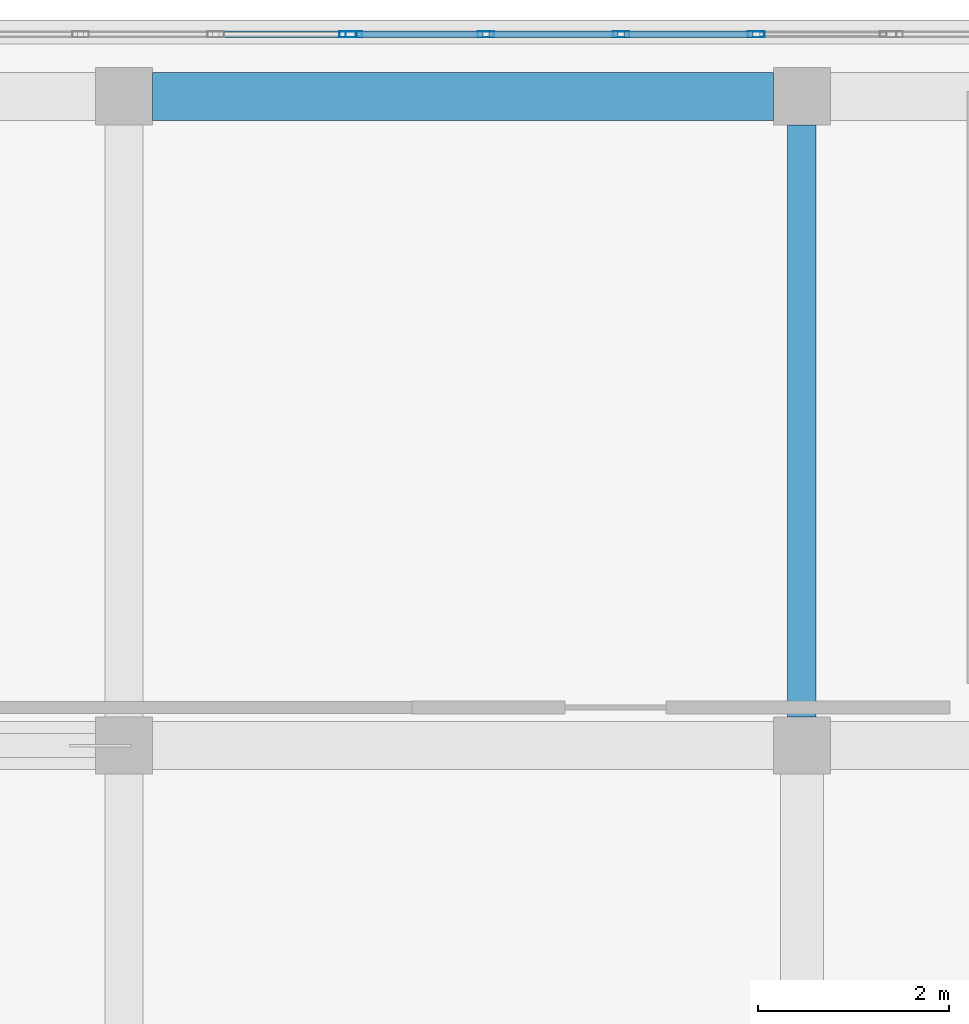
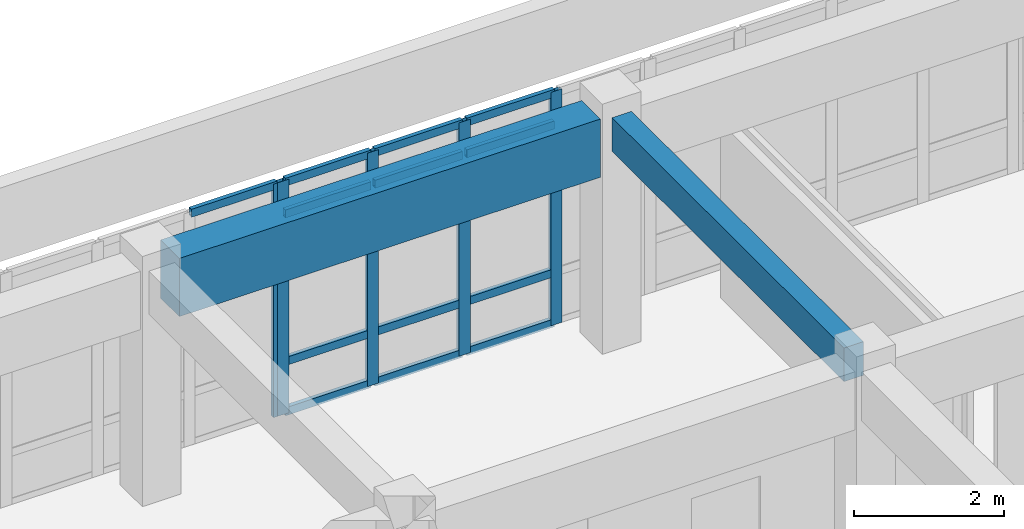
# One storey, part 6 of 14: 18 members, 2 beams, 2 elements without a shape of their own.
"""IFC4 building model written with IfcOpenShell, lengths in metres."""

from ifc_helpers import new_model, si_unit, direction, frame, origin, origin_2d, place, context, subcontext, project, spatial, rectangle, hollow_rectangle, extrude, material, layer, layer_set, material_profile, profile_set, type_object, element, aggregate, save


model = new_model("IFC4")

# Units and contexts
model_context = context("Model", 3, precision=1e-05, world=origin(), true_north=direction((0.0, 1.0)))
body_context = subcontext(model_context, "Body", "Model", "MODEL_VIEW")
ifc_project = project(units=[si_unit("LENGTHUNIT", "METRE"), si_unit("AREAUNIT", "SQUARE_METRE"), si_unit("VOLUMEUNIT", "CUBIC_METRE"), si_unit("PLANEANGLEUNIT", "RADIAN"), si_unit("MASSUNIT", "GRAM", prefix="KILO")], contexts=[model_context])

# Site, building, storey
site_placement = place(None, origin())
site = spatial("IfcSite", under=ifc_project, at=site_placement, CompositionType="ELEMENT")
building_placement = place(site_placement, origin())
building = spatial("IfcBuilding", under=site, at=building_placement, Name="Valcora Specialist Clinic", CompositionType="ELEMENT")
storey_placement = place(building_placement, frame((0.0, 0.0, 21.760009765625)))
storey = spatial("IfcBuildingStorey", under=building, at=storey_placement, Name="L05", CompositionType="ELEMENT", Elevation=21.760009765625)

# Beams
ifc_material_1 = material(Name="Concrete C40/50", Category="concrete")
ifc_material_profile_1 = material_profile(ifc_material_1, rectangle(XDim=0.300048828125, YDim=0.550048828125, at=origin_2d()), Name="RC-BM-300X550")
ifc_profile_set_1 = profile_set([ifc_material_profile_1], Name="Concrete C40/50")
beam_type_1 = type_object("IfcBeamType", Name="TY-BM-RC300X550", PredefinedType="BEAM", material=ifc_profile_set_1)
beam_1_placement = place(storey_placement, frame((16.199951171875, 15.5, 3.534912109375), z_axis=(0.0, 1.0, 0.0), x_axis=(-1.0, 0.0, 0.0)))
element("IfcBeam", 1, at=beam_1_placement, inside=storey, type_object=beam_type_1, Name="Beam BM-L05-1139", PredefinedType="BEAM", context=body_context, shape_type="SweptSolid", body=[
    extrude(rectangle(XDim=0.300048828125, YDim=0.550048828125, at=origin_2d()), origin(), (0.0, 0.0, 1.0), 6.199951171875),
])
ifc_material_profile_2 = material_profile(ifc_material_1, rectangle(XDim=0.5, YDim=0.949951171875, at=origin_2d()), Name="RC-BM-500X950")
ifc_profile_set_2 = profile_set([ifc_material_profile_2], Name="Concrete C40/50")
beam_type_2 = type_object("IfcBeamType", Name="TY-BM-TR500X950", PredefinedType="BEAM", material=ifc_profile_set_2)
beam_2_placement = place(storey_placement, frame((9.39990234375, 22.0, 3.3349609375), z_axis=(1.0, 0.0, 0.0), x_axis=(0.0, 1.0, 0.0)))
element("IfcBeam", 2, at=beam_2_placement, inside=storey, type_object=beam_type_2, Name="Beam BM-L05-1128", PredefinedType="BEAM", context=body_context, shape_type="SweptSolid", body=[
    extrude(rectangle(XDim=0.5, YDim=0.949951171875, at=origin_2d()), origin(), (0.0, 0.0, 1.0), 6.5),
])

# Curtain wall, member
ifc_material_2 = material(Name="Anodized Bronze Aluminium 6063-T6", Category="aluminium")
ifc_layer = layer(ifc_material_2, 0.175048828125)
ifc_layer_set = layer_set([ifc_layer], Name="Anodized Bronze Aluminium 6063-T6")
curtain_wall_type = type_object("IfcCurtainWallType", Name="TY-CW-V5F15", PredefinedType="NOTDEFINED", material=ifc_layer_set)
curtain_wall_1_placement = place(storey_placement, origin())
curtain_wall_1 = element("IfcCurtainWall", 3, at=curtain_wall_1_placement, inside=storey, type_object=curtain_wall_type, Name="Curtain wall CW-L05-179", PredefinedType="NOTDEFINED")
ifc_material_profile_3 = material_profile(ifc_material_2, hollow_rectangle(XDim=0.06494140625, YDim=0.175048828125, WallThickness=0.00390625, at=origin_2d()), Name="AL-MUL-65X175")
ifc_profile_set_3 = profile_set([ifc_material_profile_3], Name="Anodized Bronze Aluminium 6063-T6")
member_type_1 = type_object("IfcMemberType", Name="TY-CWM-65X175", PredefinedType="MULLION", material=ifc_profile_set_3)
member_1_placement = place(storey_placement, frame((11.4423828125, 22.64990234375, 0.0), z_axis=(0.0, 0.0, 1.0), x_axis=(0.0, 1.0, 0.0)))
member_1 = element("IfcMember", 4, at=member_1_placement, type_object=member_type_1, Name="CW-V5F-15 mullion 5", PredefinedType="MULLION", context=body_context, shape_type="SweptSolid", body=[
    extrude(hollow_rectangle(XDim=0.06494140625, YDim=0.175048828125, WallThickness=0.00390625, at=origin_2d()), origin(), (0.0, 0.0, 1.0), 3.81005859375),
])

# Curtain wall, members
curtain_wall_2_placement = place(storey_placement, origin())
curtain_wall_2 = element("IfcCurtainWall", 5, at=curtain_wall_2_placement, inside=storey, type_object=curtain_wall_type, Name="Curtain wall CW-L05-180", PredefinedType="NOTDEFINED")
member_2_placement = place(storey_placement, frame((11.507568359375, 22.64990234375, 0.0), z_axis=(0.0, 0.0, 1.0), x_axis=(0.0, 1.0, 0.0)))
member_2 = element("IfcMember", 6, at=member_2_placement, type_object=member_type_1, Name="CW-V5F-15 mullion 1", PredefinedType="MULLION", context=body_context, shape_type="SweptSolid", body=[
    extrude(hollow_rectangle(XDim=0.06494140625, YDim=0.175048828125, WallThickness=0.00390625, at=origin_2d()), origin(), (0.0, 0.0, 1.0), 3.81005859375),
])
member_3_placement = place(storey_placement, frame((12.890625, 22.64990234375, 0.0), z_axis=(0.0, 0.0, 1.0), x_axis=(0.0, 1.0, 0.0)))
member_3 = element("IfcMember", 7, at=member_3_placement, type_object=member_type_1, Name="CW-V5F-15 mullion 2", PredefinedType="MULLION", context=body_context, shape_type="SweptSolid", body=[
    extrude(hollow_rectangle(XDim=0.06494140625, YDim=0.175048828125, WallThickness=0.00390625, at=origin_2d()), origin(), (0.0, 0.0, 1.0), 3.81005859375),
])
member_4_placement = place(storey_placement, frame((14.30615234375, 22.64990234375, 0.0), z_axis=(0.0, 0.0, 1.0), x_axis=(0.0, 1.0, 0.0)))
member_4 = element("IfcMember", 8, at=member_4_placement, type_object=member_type_1, Name="CW-V5F-15 mullion 3", PredefinedType="MULLION", context=body_context, shape_type="SweptSolid", body=[
    extrude(hollow_rectangle(XDim=0.06494140625, YDim=0.175048828125, WallThickness=0.00390625, at=origin_2d()), origin(), (0.0, 0.0, 1.0), 3.81005859375),
])
member_5_placement = place(storey_placement, frame((15.721923828125, 22.64990234375, 0.0), z_axis=(0.0, 0.0, 1.0), x_axis=(0.0, 1.0, 0.0)))
member_5 = element("IfcMember", 9, at=member_5_placement, type_object=member_type_1, Name="CW-V5F-15 mullion 4", PredefinedType="MULLION", context=body_context, shape_type="SweptSolid", body=[
    extrude(hollow_rectangle(XDim=0.06494140625, YDim=0.175048828125, WallThickness=0.00390625, at=origin_2d()), origin(), (0.0, 0.0, 1.0), 3.81005859375),
])

# Member
ifc_material_profile_4 = material_profile(ifc_material_2, hollow_rectangle(XDim=0.06494140625, YDim=0.1298828125, WallThickness=0.00390625, at=origin_2d()), Name="AL-TRN-65X130")
ifc_profile_set_4 = profile_set([ifc_material_profile_4], Name="Anodized Bronze Aluminium 6063-T6")
member_type_2 = type_object("IfcMemberType", Name="TY-CWT-65X130", PredefinedType="USERDEFINED", material=ifc_profile_set_4)
member_6_placement = place(storey_placement, frame((10.091796875, 22.64990234375, 3.777587890625), z_axis=(1.0, 0.0, 0.0), x_axis=(0.0, 1.0, 0.0)))
member_6 = element("IfcMember", 10, at=member_6_placement, type_object=member_type_2, Name="CW-V5F-15 transom 4.4", ObjectType="TRANSOM", PredefinedType="USERDEFINED", context=body_context, shape_type="SweptSolid", body=[
    extrude(hollow_rectangle(XDim=0.06494140625, YDim=0.1298828125, WallThickness=0.00390625, at=origin_2d()), origin(), (0.0, 0.0, 1.0), 1.318115234375),
])

aggregate(curtain_wall_1, [member_1, member_6])

member_7_placement = place(storey_placement, frame((11.5400390625, 22.64990234375, 0.032470703125), z_axis=(1.0, 0.0, 0.0), x_axis=(0.0, 1.0, 0.0)))
member_7 = element("IfcMember", 11, at=member_7_placement, type_object=member_type_2, Name="CW-V5F-15 transom 1.1", ObjectType="TRANSOM", PredefinedType="USERDEFINED", context=body_context, shape_type="SweptSolid", body=[
    extrude(hollow_rectangle(XDim=0.06494140625, YDim=0.1298828125, WallThickness=0.00390625, at=origin_2d()), origin(), (0.0, 0.0, 1.0), 1.318115234375),
])

member_8_placement = place(storey_placement, frame((11.5400390625, 22.64990234375, 0.85009765625), z_axis=(1.0, 0.0, 0.0), x_axis=(0.0, 1.0, 0.0)))
member_8 = element("IfcMember", 12, at=member_8_placement, type_object=member_type_2, Name="CW-V5F-15 transom 1.2", ObjectType="TRANSOM", PredefinedType="USERDEFINED", context=body_context, shape_type="SweptSolid", body=[
    extrude(hollow_rectangle(XDim=0.06494140625, YDim=0.1298828125, WallThickness=0.00390625, at=origin_2d()), origin(), (0.0, 0.0, 1.0), 1.318115234375),
])

member_9_placement = place(storey_placement, frame((11.5400390625, 22.64990234375, 3.260009765625), z_axis=(1.0, 0.0, 0.0), x_axis=(0.0, 1.0, 0.0)))
member_9 = element("IfcMember", 13, at=member_9_placement, type_object=member_type_2, Name="CW-V5F-15 transom 1.3", ObjectType="TRANSOM", PredefinedType="USERDEFINED", context=body_context, shape_type="SweptSolid", body=[
    extrude(hollow_rectangle(XDim=0.06494140625, YDim=0.1298828125, WallThickness=0.00390625, at=origin_2d()), origin(), (0.0, 0.0, 1.0), 1.318115234375),
])

member_10_placement = place(storey_placement, frame((11.5400390625, 22.64990234375, 3.777587890625), z_axis=(1.0, 0.0, 0.0), x_axis=(0.0, 1.0, 0.0)))
member_10 = element("IfcMember", 14, at=member_10_placement, type_object=member_type_2, Name="CW-V5F-15 transom 1.4", ObjectType="TRANSOM", PredefinedType="USERDEFINED", context=body_context, shape_type="SweptSolid", body=[
    extrude(hollow_rectangle(XDim=0.06494140625, YDim=0.1298828125, WallThickness=0.00390625, at=origin_2d()), origin(), (0.0, 0.0, 1.0), 1.318115234375),
])

member_11_placement = place(storey_placement, frame((12.923095703125, 22.64990234375, 0.032470703125), z_axis=(1.0, 0.0, 0.0), x_axis=(0.0, 1.0, 0.0)))
member_11 = element("IfcMember", 15, at=member_11_placement, type_object=member_type_2, Name="CW-V5F-15 transom 2.1", ObjectType="TRANSOM", PredefinedType="USERDEFINED", context=body_context, shape_type="SweptSolid", body=[
    extrude(hollow_rectangle(XDim=0.06494140625, YDim=0.1298828125, WallThickness=0.00390625, at=origin_2d()), origin(), (0.0, 0.0, 1.0), 1.3505859375),
])

member_12_placement = place(storey_placement, frame((12.923095703125, 22.64990234375, 0.85009765625), z_axis=(1.0, 0.0, 0.0), x_axis=(0.0, 1.0, 0.0)))
member_12 = element("IfcMember", 16, at=member_12_placement, type_object=member_type_2, Name="CW-V5F-15 transom 2.2", ObjectType="TRANSOM", PredefinedType="USERDEFINED", context=body_context, shape_type="SweptSolid", body=[
    extrude(hollow_rectangle(XDim=0.06494140625, YDim=0.1298828125, WallThickness=0.00390625, at=origin_2d()), origin(), (0.0, 0.0, 1.0), 1.3505859375),
])

member_13_placement = place(storey_placement, frame((12.923095703125, 22.64990234375, 3.260009765625), z_axis=(1.0, 0.0, 0.0), x_axis=(0.0, 1.0, 0.0)))
member_13 = element("IfcMember", 17, at=member_13_placement, type_object=member_type_2, Name="CW-V5F-15 transom 2.3", ObjectType="TRANSOM", PredefinedType="USERDEFINED", context=body_context, shape_type="SweptSolid", body=[
    extrude(hollow_rectangle(XDim=0.06494140625, YDim=0.1298828125, WallThickness=0.00390625, at=origin_2d()), origin(), (0.0, 0.0, 1.0), 1.3505859375),
])

member_14_placement = place(storey_placement, frame((12.923095703125, 22.64990234375, 3.777587890625), z_axis=(1.0, 0.0, 0.0), x_axis=(0.0, 1.0, 0.0)))
member_14 = element("IfcMember", 18, at=member_14_placement, type_object=member_type_2, Name="CW-V5F-15 transom 2.4", ObjectType="TRANSOM", PredefinedType="USERDEFINED", context=body_context, shape_type="SweptSolid", body=[
    extrude(hollow_rectangle(XDim=0.06494140625, YDim=0.1298828125, WallThickness=0.00390625, at=origin_2d()), origin(), (0.0, 0.0, 1.0), 1.3505859375),
])

member_15_placement = place(storey_placement, frame((14.3388671875, 22.64990234375, 0.032470703125), z_axis=(1.0, 0.0, 0.0), x_axis=(0.0, 1.0, 0.0)))
member_15 = element("IfcMember", 19, at=member_15_placement, type_object=member_type_2, Name="CW-V5F-15 transom 3.1", ObjectType="TRANSOM", PredefinedType="USERDEFINED", context=body_context, shape_type="SweptSolid", body=[
    extrude(hollow_rectangle(XDim=0.06494140625, YDim=0.1298828125, WallThickness=0.00390625, at=origin_2d()), origin(), (0.0, 0.0, 1.0), 1.3505859375),
])

member_16_placement = place(storey_placement, frame((14.3388671875, 22.64990234375, 0.85009765625), z_axis=(1.0, 0.0, 0.0), x_axis=(0.0, 1.0, 0.0)))
member_16 = element("IfcMember", 20, at=member_16_placement, type_object=member_type_2, Name="CW-V5F-15 transom 3.2", ObjectType="TRANSOM", PredefinedType="USERDEFINED", context=body_context, shape_type="SweptSolid", body=[
    extrude(hollow_rectangle(XDim=0.06494140625, YDim=0.1298828125, WallThickness=0.00390625, at=origin_2d()), origin(), (0.0, 0.0, 1.0), 1.3505859375),
])

member_17_placement = place(storey_placement, frame((14.3388671875, 22.64990234375, 3.260009765625), z_axis=(1.0, 0.0, 0.0), x_axis=(0.0, 1.0, 0.0)))
member_17 = element("IfcMember", 21, at=member_17_placement, type_object=member_type_2, Name="CW-V5F-15 transom 3.3", ObjectType="TRANSOM", PredefinedType="USERDEFINED", context=body_context, shape_type="SweptSolid", body=[
    extrude(hollow_rectangle(XDim=0.06494140625, YDim=0.1298828125, WallThickness=0.00390625, at=origin_2d()), origin(), (0.0, 0.0, 1.0), 1.3505859375),
])

member_18_placement = place(storey_placement, frame((14.3388671875, 22.64990234375, 3.777587890625), z_axis=(1.0, 0.0, 0.0), x_axis=(0.0, 1.0, 0.0)))
member_18 = element("IfcMember", 22, at=member_18_placement, type_object=member_type_2, Name="CW-V5F-15 transom 3.4", ObjectType="TRANSOM", PredefinedType="USERDEFINED", context=body_context, shape_type="SweptSolid", body=[
    extrude(hollow_rectangle(XDim=0.06494140625, YDim=0.1298828125, WallThickness=0.00390625, at=origin_2d()), origin(), (0.0, 0.0, 1.0), 1.3505859375),
])

aggregate(curtain_wall_2, [member_2, member_3, member_4, member_5, member_7, member_8, member_9, member_10, member_11, member_12, member_13, member_14, member_15, member_16, member_17, member_18])

save(model, "model.ifc")
